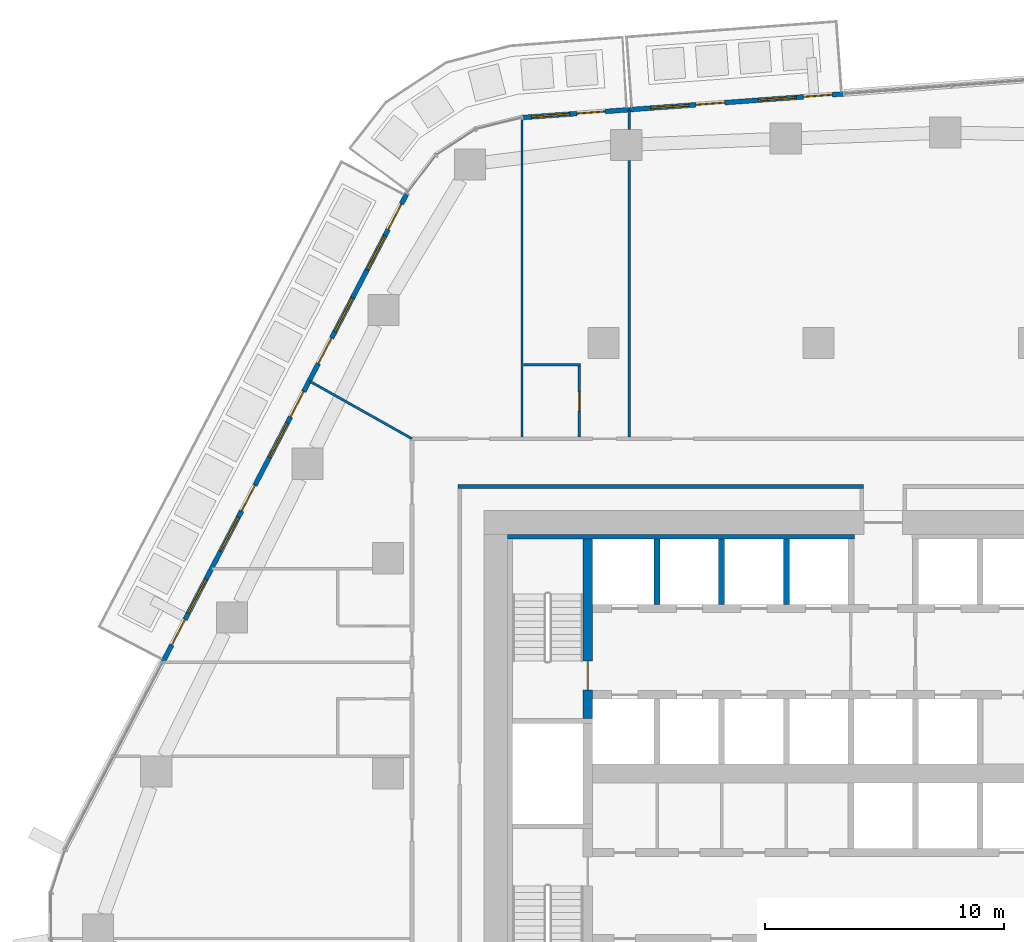
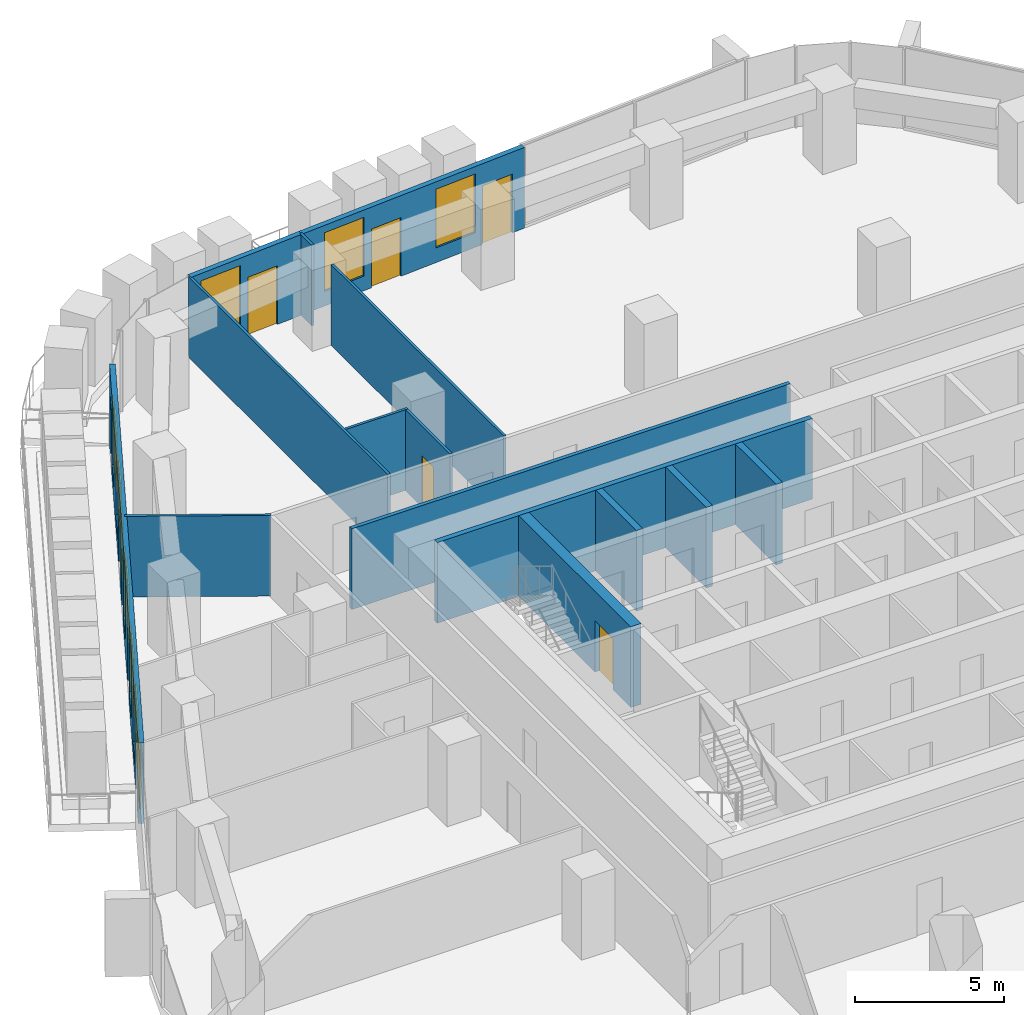
# One storey, part 15 of 23: 15 walls, 10 doors, 8 windows, 18 openings.
"""IFC4 building model written with IfcOpenShell, lengths in metres."""

from ifc_helpers import new_model, si_unit, direction, frame, frame_2d, origin, place, context, subcontext, project, spatial, rectangle, extrude, material, layer, layer_set, type_object, element, fill, save


model = new_model("IFC4")

# Units and contexts
model_context = context("Model", 3, precision=1e-05, world=origin(), true_north=direction((0.0, 1.0)))
body_context = subcontext(model_context, "Body", "Model", "MODEL_VIEW")
ifc_project = project(units=[si_unit("LENGTHUNIT", "METRE"), si_unit("AREAUNIT", "SQUARE_METRE"), si_unit("VOLUMEUNIT", "CUBIC_METRE"), si_unit("PLANEANGLEUNIT", "RADIAN"), si_unit("MASSUNIT", "GRAM", prefix="KILO")], contexts=[model_context])

# Site, building, storey
site_placement = place(None, origin())
site = spatial("IfcSite", under=ifc_project, at=site_placement, CompositionType="ELEMENT")
building_placement = place(site_placement, origin())
building = spatial("IfcBuilding", under=site, at=building_placement, Name="Dongbaek Canopy Tower", CompositionType="ELEMENT")
storey_placement = place(building_placement, frame((0.0, 0.0, 135.89990234375)))
storey = spatial("IfcBuildingStorey", under=building, at=storey_placement, Name="L30", CompositionType="ELEMENT", Elevation=135.89990234375)

# Walls
ifc_material_1 = material(Name="Concrete C60/75", Category="concrete")
ifc_layer_1 = layer(ifc_material_1, 0.199951171875)
ifc_layer_set_1 = layer_set([ifc_layer_1], Name="Core wall lining 200 Concrete C60/75")
wall_type_1 = type_object("IfcWallType", Name="Core wall lining 200 Concrete C60/75", PredefinedType="SHEAR", material=ifc_layer_set_1)
wall_1_placement = place(storey_placement, frame((-13.0, 9.89990234375, 0.0), z_axis=(0.0, 0.0, 1.0), x_axis=(1.0, 0.0, 0.0)))
element("IfcWall", 1, at=wall_1_placement, inside=storey, type_object=wall_type_1, Name="Core wall lining", PredefinedType="SHEAR", context=body_context, shape_type="SweptSolid", body=[
    extrude(rectangle(XDim=14.5, YDim=0.199951171875, at=frame_2d((7.25, 0.0))), origin(), (0.0, 0.0, 1.0), 3.300048828125),
])
ifc_material_2 = material(Name="Gypsum board partition, steel stud, 2 x 15 mm fire board", Category="steel")
ifc_layer_2 = layer(ifc_material_2, 0.14990234375)
ifc_layer_set_2 = layer_set([ifc_layer_2], Name="Fire-rated partition 150 gypsum board")
wall_type_2 = type_object("IfcWallType", Name="Fire-rated partition 150 gypsum board", PredefinedType="PARTITIONING", material=ifc_layer_set_2)
wall_2_placement = place(storey_placement, frame((-15.074951171875, 12.0, 0.0), z_axis=(0.0, 0.0, 1.0), x_axis=(1.0, 0.0, 0.0)))
element("IfcWall", 2, at=wall_2_placement, inside=storey, type_object=wall_type_2, Name="Corridor partition", PredefinedType="PARTITIONING", context=body_context, shape_type="SweptSolid", body=[
    extrude(rectangle(XDim=16.949951171875, YDim=0.14990234375, at=frame_2d((8.47509765625, 0.0))), origin(), (0.0, 0.0, 1.0), 3.300048828125),
])
ifc_material_3 = material(Name="Concrete C40/50", Category="concrete")
ifc_layer_3 = layer(ifc_material_3, 0.25)
ifc_layer_set_3 = layer_set([ifc_layer_3], Name="Lift shaft wall 250 Concrete C40/50")
wall_type_3 = type_object("IfcWallType", Name="Lift shaft wall 250 Concrete C40/50", PredefinedType="SOLIDWALL", material=ifc_layer_set_3)
for number, where, z_axis, x_axis, name in (
    (3, (-1.35009765625, 7.074951171875, 0.0), (0.0, 0.0, 1.0), (0.0, 1.0, 0.0), "Lift shaft wall"),
    (4, (-4.050048828125, 7.074951171875, 0.0), (0.0, 0.0, 1.0), (0.0, 1.0, 0.0), "Lift shaft wall"),
    (5, (-6.75, 7.074951171875, 0.0), (0.0, 0.0, 1.0), (0.0, 1.0, 0.0), "Lift shaft wall"),
):
    element("IfcWall", number, at=place(storey_placement, frame(where, z_axis=z_axis, x_axis=x_axis)), inside=storey, type_object=wall_type_3, Name=name, PredefinedType="SOLIDWALL", context=body_context, shape_type="SweptSolid", body=[
        extrude(rectangle(XDim=2.72509765625, YDim=0.25, at=frame_2d((1.362548828125, 0.0))), origin(), (0.0, 0.0, 1.0), 3.300048828125),
    ])
ifc_material_4 = material(Name="Gypsum board partition, steel stud, 2 x 12.5 mm board", Category="steel")
ifc_layer_4 = layer(ifc_material_4, 0.10009765625)
ifc_layer_set_4 = layer_set([ifc_layer_4], Name="Partition 100 gypsum board")
wall_type_4 = type_object("IfcWallType", Name="Partition 100 gypsum board", PredefinedType="PARTITIONING", material=ifc_layer_set_4)
wall_3_placement = place(storey_placement, frame((-12.3486328125, 17.10009765625, 0.0), z_axis=(0.0, 0.0, 1.0), x_axis=(1.0, 0.0, 0.0)))
element("IfcWall", 6, at=wall_3_placement, inside=storey, type_object=wall_type_4, Name="Partition", PredefinedType="PARTITIONING", context=body_context, shape_type="SweptSolid", body=[
    extrude(rectangle(XDim=2.400146484375, YDim=0.10009765625, at=frame_2d((1.2001953125, 0.0))), origin(), (0.0, 0.0, 1.0), 3.300048828125),
])
wall_4_placement = place(storey_placement, frame((-7.916015625, 14.074951171875, 0.0), z_axis=(0.0, 0.0, 1.0), x_axis=(0.0, 1.0, 0.0)))
element("IfcWall", 7, at=wall_4_placement, inside=storey, type_object=wall_type_4, Name="Partition", PredefinedType="PARTITIONING", context=body_context, shape_type="SweptSolid", body=[
    extrude(rectangle(XDim=11.56298828125, YDim=0.10009765625, at=frame_2d((5.781494140625, 0.0))), origin(), (0.0, 0.0, 1.0), 3.300048828125),
])
wall_5_placement = place(storey_placement, frame((-7.916015625, 26.93798828125, 0.0), z_axis=(0.0, 0.0, 1.0), x_axis=(0.0, 1.0, 0.0)))
element("IfcWall", 8, at=wall_5_placement, inside=storey, type_object=wall_type_4, Name="Partition", PredefinedType="PARTITIONING", context=body_context, shape_type="SweptSolid", body=[
    extrude(rectangle(XDim=0.799072265625, YDim=0.10009765625, at=frame_2d((0.3994140625, 0.0))), origin(), (0.0, 0.0, 1.0), 3.300048828125),
])

# Wall, opening, door
wall_6_placement = place(storey_placement, frame((-9.9990234375, 14.074951171875, 0.0), z_axis=(0.0, 0.0, 1.0), x_axis=(0.0, 1.0, 0.0)))
wall_6 = element("IfcWall", 9, at=wall_6_placement, inside=storey, type_object=wall_type_4, Name="Partition", PredefinedType="PARTITIONING", context=body_context, shape_type="SweptSolid", body=[
    extrude(rectangle(XDim=2.97509765625, YDim=0.10009765625, at=frame_2d((1.487548828125, 0.0))), origin(), (0.0, 0.0, 1.0), 3.300048828125),
])
opening_1_placement = place(wall_6_placement, frame((1.074951171875, 0.0, 0.0)))
opening_1 = element("IfcOpeningElement", 10, at=opening_1_placement, cuts=wall_6, Name="Opening L30-D015", PredefinedType="OPENING", context=body_context, shape_type="SweptSolid", body=[
    extrude(rectangle(XDim=0.800048828125, YDim=2.10009765625, at=frame_2d((0.39990234375, 1.050048828125))), frame((0.0, 0.06005859375, 0.0), z_axis=(0.0, -1.0, 0.0), x_axis=(1.0, 0.0, 0.0)), (0.0, 0.0, 1.0), 0.1201171875),
])
ifc_material_5 = material(Name="Timber veneered door leaf", Category="wood")
door_type_1 = type_object("IfcDoorType", Name="En-suite door 800 x 2100", OperationType="SINGLE_SWING_LEFT", PredefinedType="DOOR", material=ifc_material_5)
door_1_placement = place(opening_1_placement, origin())
door_1 = element("IfcDoor", 11, at=door_1_placement, inside=storey, type_object=door_type_1, Name="Door L30-D015", OperationType="SINGLE_SWING_RIGHT", OverallHeight=2.10009765625, OverallWidth=0.800048828125, PredefinedType="DOOR", context=body_context, shape_type="SweptSolid", body=[
    extrude(rectangle(XDim=0.800048828125, YDim=2.10009765625, at=frame_2d((0.39990234375, 1.050048828125))), frame((0.0, 0.02490234375, 0.0), z_axis=(0.0, -1.0, 0.0), x_axis=(1.0, 0.0, 0.0)), (0.0, 0.0, 1.0), 0.050048828125),
])
fill(opening_1, door_1)

# Walls
wall_7_placement = place(storey_placement, frame((-12.39892578125, 14.074951171875, 0.0), z_axis=(0.0, 0.0, 1.0), x_axis=(0.0, 1.0, 0.0)))
element("IfcWall", 12, at=wall_7_placement, inside=storey, type_object=wall_type_4, Name="Partition", PredefinedType="PARTITIONING", context=body_context, shape_type="SweptSolid", body=[
    extrude(rectangle(XDim=13.3310546875, YDim=0.10009765625, at=frame_2d((6.66552734375, 0.0))), origin(), (0.0, 0.0, 1.0), 3.300048828125),
])
wall_8_placement = place(storey_placement, frame((-21.278564453125, 16.404541015625, 0.0), z_axis=(0.0, 0.0, 1.0), x_axis=(0.871729599924, -0.489987249443, 0.0)))
element("IfcWall", 13, at=wall_8_placement, inside=storey, type_object=wall_type_4, Name="Partition", PredefinedType="PARTITIONING", context=body_context, shape_type="SweptSolid", body=[
    extrude(rectangle(XDim=4.907958984375, YDim=0.10009765625, at=frame_2d((2.4541015625, 0.0))), origin(), (0.0, 0.0, 1.0), 3.300048828125),
])

# Wall, opening, door
ifc_material_6 = material(Name="Concrete C60/75", Category="concrete")
ifc_layer_5 = layer(ifc_material_6, 0.39990234375)
ifc_layer_set_5 = layer_set([ifc_layer_5], Name="Stair wall 400 Concrete C60/75")
wall_type_5 = type_object("IfcWallType", Name="Stair wall 400 Concrete C60/75", PredefinedType="SHEAR", material=ifc_layer_set_5)
wall_9_placement = place(storey_placement, frame((-9.64990234375, 2.300048828125, 0.0), z_axis=(0.0, 0.0, 1.0), x_axis=(0.0, 1.0, 0.0)))
wall_9 = element("IfcWall", 14, at=wall_9_placement, inside=storey, type_object=wall_type_5, Name="Stair wall", PredefinedType="SHEAR", context=body_context, shape_type="SweptSolid", body=[
    extrude(rectangle(XDim=7.5, YDim=0.39990234375, at=frame_2d((3.75, 0.0))), origin(), (0.0, 0.0, 1.0), 3.300048828125),
])
opening_2_placement = place(wall_9_placement, frame((1.199951171875, 0.0, 0.0)))
opening_2 = element("IfcOpeningElement", 15, at=opening_2_placement, cuts=wall_9, Name="Opening L30-D052", PredefinedType="OPENING", context=body_context, shape_type="SweptSolid", body=[
    extrude(rectangle(XDim=1.199951171875, YDim=2.10009765625, at=frame_2d((0.60009765625, 1.050048828125))), frame((0.0, 0.2099609375, 0.0), z_axis=(0.0, -1.0, 0.0), x_axis=(1.0, 0.0, 0.0)), (0.0, 0.0, 1.0), 0.419921875),
])
ifc_material_7 = material(Name="Steel", Category="steel")
door_type_2 = type_object("IfcDoorType", Name="Stair door 1200 x 2100", OperationType="SINGLE_SWING_LEFT", PredefinedType="DOOR", material=ifc_material_7)
door_2_placement = place(opening_2_placement, origin())
door_2 = element("IfcDoor", 16, at=door_2_placement, inside=storey, type_object=door_type_2, Name="Stair C door", OperationType="SINGLE_SWING_RIGHT", OverallHeight=2.10009765625, OverallWidth=1.199951171875, PredefinedType="DOOR", context=body_context, shape_type="SweptSolid", body=[
    extrude(rectangle(XDim=1.199951171875, YDim=2.10009765625, at=frame_2d((0.60009765625, 1.050048828125))), frame((0.0, 0.02490234375, 0.0), z_axis=(0.0, -1.0, 0.0), x_axis=(1.0, 0.0, 0.0)), (0.0, 0.0, 1.0), 0.050048828125),
])
fill(opening_2, door_2)

# Wall, openings, doors, windows
ifc_material_8 = material(Name="Aluminium window wall", Category="aluminium")
ifc_layer_6 = layer(ifc_material_8, 0.199951171875)
ifc_layer_set_6 = layer_set([ifc_layer_6], Name="Window wall 200")
wall_type_6 = type_object("IfcWallType", Name="Window wall 200", PredefinedType="SOLIDWALL", material=ifc_layer_set_6)
wall_10_placement = place(storey_placement, frame((1.064697265625, 28.419189453125, 0.0), z_axis=(0.0, 0.0, 1.0), x_axis=(-0.997293582655, -0.07352217349, 0.0)))
wall_10 = element("IfcWall", 17, at=wall_10_placement, inside=storey, type_object=wall_type_6, Name="Window wall L30 1", PredefinedType="SOLIDWALL", context=body_context, shape_type="SweptSolid", body=[
    extrude(rectangle(XDim=9.005615234375, YDim=0.199951171875, at=frame_2d((4.5029296875, 0.0))), origin(), (0.0, 0.0, 1.0), 3.300048828125),
])
opening_3_placement = place(wall_10_placement, frame((2.0, 0.0, 0.60009765625)))
opening_3 = element("IfcOpeningElement", 18, at=opening_3_placement, cuts=wall_10, Name="Opening W1", PredefinedType="OPENING", context=body_context, shape_type="SweptSolid", body=[
    extrude(rectangle(XDim=1.60009765625, YDim=2.39990234375, at=frame_2d((0.800048828125, 1.199951171875))), frame((0.0, 0.10986328125, 0.0), z_axis=(0.0, -1.0, 0.0), x_axis=(1.0, 0.0, 0.0)), (0.0, 0.0, 1.0), 0.219970703125),
])
opening_4_placement = place(wall_10_placement, frame((0.5, 0.0, 0.0)))
opening_4 = element("IfcOpeningElement", 19, at=opening_4_placement, cuts=wall_10, Name="Opening L30-B01", PredefinedType="OPENING", context=body_context, shape_type="SweptSolid", body=[
    extrude(rectangle(XDim=1.199951171875, YDim=2.39990234375, at=frame_2d((0.60009765625, 1.199951171875))), frame((0.0, 0.10986328125, 0.0), z_axis=(0.0, -1.0, 0.0), x_axis=(1.0, 0.0, 0.0)), (0.0, 0.0, 1.0), 0.219970703125),
])
opening_5_placement = place(wall_10_placement, frame((6.5029296875, 0.0, 0.60009765625)))
opening_5 = element("IfcOpeningElement", 20, at=opening_5_placement, cuts=wall_10, Name="Opening W1", PredefinedType="OPENING", context=body_context, shape_type="SweptSolid", body=[
    extrude(rectangle(XDim=1.60009765625, YDim=2.39990234375, at=frame_2d((0.800048828125, 1.199951171875))), frame((0.0, 0.10986328125, 0.0), z_axis=(0.0, -1.0, 0.0), x_axis=(1.0, 0.0, 0.0)), (0.0, 0.0, 1.0), 0.219970703125),
])
opening_6_placement = place(wall_10_placement, frame((5.0029296875, 0.0, 0.0)))
opening_6 = element("IfcOpeningElement", 21, at=opening_6_placement, cuts=wall_10, Name="Opening L30-B02", PredefinedType="OPENING", context=body_context, shape_type="SweptSolid", body=[
    extrude(rectangle(XDim=1.199951171875, YDim=2.39990234375, at=frame_2d((0.60009765625, 1.199951171875))), frame((0.0, 0.10986328125, 0.0), z_axis=(0.0, -1.0, 0.0), x_axis=(1.0, 0.0, 0.0)), (0.0, 0.0, 1.0), 0.219970703125),
])
ifc_material_9 = material(Name="Clear glazing in aluminium frame", Category="aluminium")
door_type_3 = type_object("IfcDoorType", Name="Balcony door BD1 1200 x 2400", OperationType="SLIDING_TO_LEFT", PredefinedType="DOOR", material=ifc_material_9)
door_3_placement = place(opening_4_placement, origin())
door_3 = element("IfcDoor", 22, at=door_3_placement, inside=storey, type_object=door_type_3, Name="Balcony door L30-B01", OperationType="SLIDING_TO_LEFT", OverallHeight=2.39990234375, OverallWidth=1.199951171875, PredefinedType="DOOR", context=body_context, shape_type="SweptSolid", body=[
    extrude(rectangle(XDim=1.199951171875, YDim=2.39990234375, at=frame_2d((0.60009765625, 1.199951171875))), frame((0.0, 0.02490234375, 0.0), z_axis=(0.0, -1.0, 0.0), x_axis=(1.0, 0.0, 0.0)), (0.0, 0.0, 1.0), 0.050048828125),
])
fill(opening_4, door_3)
door_4_placement = place(opening_6_placement, origin())
door_4 = element("IfcDoor", 23, at=door_4_placement, inside=storey, type_object=door_type_3, Name="Balcony door L30-B02", OperationType="SLIDING_TO_LEFT", OverallHeight=2.39990234375, OverallWidth=1.199951171875, PredefinedType="DOOR", context=body_context, shape_type="SweptSolid", body=[
    extrude(rectangle(XDim=1.199951171875, YDim=2.39990234375, at=frame_2d((0.60009765625, 1.199951171875))), frame((0.0, 0.02490234375, 0.0), z_axis=(0.0, -1.0, 0.0), x_axis=(1.0, 0.0, 0.0)), (0.0, 0.0, 1.0), 0.050048828125),
])
fill(opening_6, door_4)
ifc_material_10 = material(Name="Clear glazing in aluminium frame", Category="aluminium")
window_type = type_object("IfcWindowType", Name="Window W1 1600 x 2400", PartitioningType="SINGLE_PANEL", PredefinedType="WINDOW", material=ifc_material_10)
window_1_placement = place(opening_3_placement, origin())
window_1 = element("IfcWindow", 24, at=window_1_placement, inside=storey, type_object=window_type, Name="Window L30 1.1", OverallHeight=2.39990234375, OverallWidth=1.60009765625, PartitioningType="SINGLE_PANEL", PredefinedType="WINDOW", context=body_context, shape_type="SweptSolid", body=[
    extrude(rectangle(XDim=1.60009765625, YDim=2.39990234375, at=frame_2d((0.800048828125, 1.199951171875))), frame((0.0, 0.030029296875, 0.0), z_axis=(0.0, -1.0, 0.0), x_axis=(1.0, 0.0, 0.0)), (0.0, 0.0, 1.0), 0.06005859375),
])
fill(opening_3, window_1)
window_2_placement = place(opening_5_placement, origin())
window_2 = element("IfcWindow", 25, at=window_2_placement, inside=storey, type_object=window_type, Name="Window L30 1.2", OverallHeight=2.39990234375, OverallWidth=1.60009765625, PartitioningType="SINGLE_PANEL", PredefinedType="WINDOW", context=body_context, shape_type="SweptSolid", body=[
    extrude(rectangle(XDim=1.60009765625, YDim=2.39990234375, at=frame_2d((0.800048828125, 1.199951171875))), frame((0.0, 0.030029296875, 0.0), z_axis=(0.0, -1.0, 0.0), x_axis=(1.0, 0.0, 0.0)), (0.0, 0.0, 1.0), 0.06005859375),
])
fill(opening_5, window_2)

# Wall, openings, door, window
wall_11_placement = place(storey_placement, frame((-7.91650390625, 27.757080078125, 0.0), z_axis=(0.0, 0.0, 1.0), x_axis=(-0.997291417846, -0.073551532206, 0.0)))
wall_11 = element("IfcWall", 26, at=wall_11_placement, inside=storey, type_object=wall_type_6, Name="Window wall L30 6", PredefinedType="SOLIDWALL", context=body_context, shape_type="SweptSolid", body=[
    extrude(rectangle(XDim=4.494384765625, YDim=0.199951171875, at=frame_2d((2.2470703125, 0.0))), origin(), (0.0, 0.0, 1.0), 3.300048828125),
])
opening_7_placement = place(wall_11_placement, frame((2.5, 0.0, 0.60009765625)))
opening_7 = element("IfcOpeningElement", 27, at=opening_7_placement, cuts=wall_11, Name="Opening W1", PredefinedType="OPENING", context=body_context, shape_type="SweptSolid", body=[
    extrude(rectangle(XDim=1.60009765625, YDim=2.39990234375, at=frame_2d((0.800048828125, 1.199951171875))), frame((0.0, 0.10986328125, 0.0), z_axis=(0.0, -1.0, 0.0), x_axis=(1.0, 0.0, 0.0)), (0.0, 0.0, 1.0), 0.219970703125),
])
opening_8_placement = place(wall_11_placement, frame((1.0, 0.0, 0.0)))
opening_8 = element("IfcOpeningElement", 28, at=opening_8_placement, cuts=wall_11, Name="Opening L30-B03", PredefinedType="OPENING", context=body_context, shape_type="SweptSolid", body=[
    extrude(rectangle(XDim=1.199951171875, YDim=2.39990234375, at=frame_2d((0.60009765625, 1.199951171875))), frame((0.0, 0.10986328125, 0.0), z_axis=(0.0, -1.0, 0.0), x_axis=(1.0, 0.0, 0.0)), (0.0, 0.0, 1.0), 0.219970703125),
])
door_5_placement = place(opening_8_placement, origin())
door_5 = element("IfcDoor", 29, at=door_5_placement, inside=storey, type_object=door_type_3, Name="Balcony door L30-B03", OperationType="SLIDING_TO_LEFT", OverallHeight=2.39990234375, OverallWidth=1.199951171875, PredefinedType="DOOR", context=body_context, shape_type="SweptSolid", body=[
    extrude(rectangle(XDim=1.199951171875, YDim=2.39990234375, at=frame_2d((0.60009765625, 1.199951171875))), frame((0.0, 0.02490234375, 0.0), z_axis=(0.0, -1.0, 0.0), x_axis=(1.0, 0.0, 0.0)), (0.0, 0.0, 1.0), 0.050048828125),
])
fill(opening_8, door_5)
window_3_placement = place(opening_7_placement, origin())
window_3 = element("IfcWindow", 30, at=window_3_placement, inside=storey, type_object=window_type, Name="Window L30 6.1", OverallHeight=2.39990234375, OverallWidth=1.60009765625, PartitioningType="SINGLE_PANEL", PredefinedType="WINDOW", context=body_context, shape_type="SweptSolid", body=[
    extrude(rectangle(XDim=1.60009765625, YDim=2.39990234375, at=frame_2d((0.800048828125, 1.199951171875))), frame((0.0, 0.030029296875, 0.0), z_axis=(0.0, -1.0, 0.0), x_axis=(1.0, 0.0, 0.0)), (0.0, 0.0, 1.0), 0.06005859375),
])
fill(opening_7, window_3)

# Wall, openings, doors, windows
wall_12_placement = place(storey_placement, frame((-17.210205078125, 24.259765625, 0.0), z_axis=(0.0, 0.0, 1.0), x_axis=(-0.461902936619, -0.886930480445, 0.0)))
wall_12 = element("IfcWall", 31, at=wall_12_placement, inside=storey, type_object=wall_type_6, Name="Window wall L30 2", PredefinedType="SOLIDWALL", context=body_context, shape_type="SweptSolid", body=[
    extrude(rectangle(XDim=22.113037109375, YDim=0.199951171875, at=frame_2d((11.056640625, 0.0))), origin(), (0.0, 0.0, 1.0), 3.300048828125),
])
opening_9_placement = place(wall_12_placement, frame((2.0, 0.0, 0.60009765625)))
opening_9 = element("IfcOpeningElement", 32, at=opening_9_placement, cuts=wall_12, Name="Opening W1", PredefinedType="OPENING", context=body_context, shape_type="SweptSolid", body=[
    extrude(rectangle(XDim=1.60009765625, YDim=2.39990234375, at=frame_2d((0.800048828125, 1.199951171875))), frame((0.0, 0.10986328125, 0.0), z_axis=(0.0, -1.0, 0.0), x_axis=(1.0, 0.0, 0.0)), (0.0, 0.0, 1.0), 0.219970703125),
])
opening_10_placement = place(wall_12_placement, frame((0.5, 0.0, 0.0)))
opening_10 = element("IfcOpeningElement", 33, at=opening_10_placement, cuts=wall_12, Name="Opening L30-B04", PredefinedType="OPENING", context=body_context, shape_type="SweptSolid", body=[
    extrude(rectangle(XDim=1.199951171875, YDim=2.39990234375, at=frame_2d((0.60009765625, 1.199951171875))), frame((0.0, 0.10986328125, 0.0), z_axis=(0.0, -1.0, 0.0), x_axis=(1.0, 0.0, 0.0)), (0.0, 0.0, 1.0), 0.219970703125),
])
opening_11_placement = place(wall_12_placement, frame((4.922607421875, 0.0, 0.60009765625)))
opening_11 = element("IfcOpeningElement", 34, at=opening_11_placement, cuts=wall_12, Name="Opening W1", PredefinedType="OPENING", context=body_context, shape_type="SweptSolid", body=[
    extrude(rectangle(XDim=1.60009765625, YDim=2.39990234375, at=frame_2d((0.800048828125, 1.199951171875))), frame((0.0, 0.10986328125, 0.0), z_axis=(0.0, -1.0, 0.0), x_axis=(1.0, 0.0, 0.0)), (0.0, 0.0, 1.0), 0.219970703125),
])
opening_12_placement = place(wall_12_placement, frame((6.822509765625, 0.0, 0.0)))
opening_12 = element("IfcOpeningElement", 35, at=opening_12_placement, cuts=wall_12, Name="Opening L30-B05", PredefinedType="OPENING", context=body_context, shape_type="SweptSolid", body=[
    extrude(rectangle(XDim=1.199951171875, YDim=2.39990234375, at=frame_2d((0.60009765625, 1.199951171875))), frame((0.0, 0.10986328125, 0.0), z_axis=(0.0, -1.0, 0.0), x_axis=(1.0, 0.0, 0.0)), (0.0, 0.0, 1.0), 0.219970703125),
])
opening_13_placement = place(wall_12_placement, frame((10.84521484375, 0.0, 0.60009765625)))
opening_13 = element("IfcOpeningElement", 36, at=opening_13_placement, cuts=wall_12, Name="Opening W1", PredefinedType="OPENING", context=body_context, shape_type="SweptSolid", body=[
    extrude(rectangle(XDim=1.60009765625, YDim=2.39990234375, at=frame_2d((0.800048828125, 1.199951171875))), frame((0.0, 0.10986328125, 0.0), z_axis=(0.0, -1.0, 0.0), x_axis=(1.0, 0.0, 0.0)), (0.0, 0.0, 1.0), 0.219970703125),
])
opening_14_placement = place(wall_12_placement, frame((9.34521484375, 0.0, 0.0)))
opening_14 = element("IfcOpeningElement", 37, at=opening_14_placement, cuts=wall_12, Name="Opening L30-B06", PredefinedType="OPENING", context=body_context, shape_type="SweptSolid", body=[
    extrude(rectangle(XDim=1.199951171875, YDim=2.39990234375, at=frame_2d((0.60009765625, 1.199951171875))), frame((0.0, 0.10986328125, 0.0), z_axis=(0.0, -1.0, 0.0), x_axis=(1.0, 0.0, 0.0)), (0.0, 0.0, 1.0), 0.219970703125),
])
opening_15_placement = place(wall_12_placement, frame((15.267822265625, 0.0, 0.60009765625)))
opening_15 = element("IfcOpeningElement", 38, at=opening_15_placement, cuts=wall_12, Name="Opening W1", PredefinedType="OPENING", context=body_context, shape_type="SweptSolid", body=[
    extrude(rectangle(XDim=1.60009765625, YDim=2.39990234375, at=frame_2d((0.800048828125, 1.199951171875))), frame((0.0, 0.10986328125, 0.0), z_axis=(0.0, -1.0, 0.0), x_axis=(1.0, 0.0, 0.0)), (0.0, 0.0, 1.0), 0.219970703125),
])
opening_16_placement = place(wall_12_placement, frame((13.767822265625, 0.0, 0.0)))
opening_16 = element("IfcOpeningElement", 39, at=opening_16_placement, cuts=wall_12, Name="Opening L30-B07", PredefinedType="OPENING", context=body_context, shape_type="SweptSolid", body=[
    extrude(rectangle(XDim=1.199951171875, YDim=2.39990234375, at=frame_2d((0.60009765625, 1.199951171875))), frame((0.0, 0.10986328125, 0.0), z_axis=(0.0, -1.0, 0.0), x_axis=(1.0, 0.0, 0.0)), (0.0, 0.0, 1.0), 0.219970703125),
])
opening_17_placement = place(wall_12_placement, frame((18.1904296875, 0.0, 0.60009765625)))
opening_17 = element("IfcOpeningElement", 40, at=opening_17_placement, cuts=wall_12, Name="Opening W1", PredefinedType="OPENING", context=body_context, shape_type="SweptSolid", body=[
    extrude(rectangle(XDim=1.60009765625, YDim=2.39990234375, at=frame_2d((0.800048828125, 1.199951171875))), frame((0.0, 0.10986328125, 0.0), z_axis=(0.0, -1.0, 0.0), x_axis=(1.0, 0.0, 0.0)), (0.0, 0.0, 1.0), 0.219970703125),
])
opening_18_placement = place(wall_12_placement, frame((20.09033203125, 0.0, 0.0)))
opening_18 = element("IfcOpeningElement", 41, at=opening_18_placement, cuts=wall_12, Name="Opening L30-B08", PredefinedType="OPENING", context=body_context, shape_type="SweptSolid", body=[
    extrude(rectangle(XDim=1.199951171875, YDim=2.39990234375, at=frame_2d((0.60009765625, 1.199951171875))), frame((0.0, 0.10986328125, 0.0), z_axis=(0.0, -1.0, 0.0), x_axis=(1.0, 0.0, 0.0)), (0.0, 0.0, 1.0), 0.219970703125),
])
door_6_placement = place(opening_10_placement, origin())
door_6 = element("IfcDoor", 42, at=door_6_placement, inside=storey, type_object=door_type_3, Name="Balcony door L30-B04", OperationType="SLIDING_TO_LEFT", OverallHeight=2.39990234375, OverallWidth=1.199951171875, PredefinedType="DOOR", context=body_context, shape_type="SweptSolid", body=[
    extrude(rectangle(XDim=1.199951171875, YDim=2.39990234375, at=frame_2d((0.60009765625, 1.199951171875))), frame((0.0, 0.02490234375, 0.0), z_axis=(0.0, -1.0, 0.0), x_axis=(1.0, 0.0, 0.0)), (0.0, 0.0, 1.0), 0.050048828125),
])
fill(opening_10, door_6)
door_7_placement = place(opening_12_placement, origin())
door_7 = element("IfcDoor", 43, at=door_7_placement, inside=storey, type_object=door_type_3, Name="Balcony door L30-B05", OperationType="SLIDING_TO_LEFT", OverallHeight=2.39990234375, OverallWidth=1.199951171875, PredefinedType="DOOR", context=body_context, shape_type="SweptSolid", body=[
    extrude(rectangle(XDim=1.199951171875, YDim=2.39990234375, at=frame_2d((0.60009765625, 1.199951171875))), frame((0.0, 0.02490234375, 0.0), z_axis=(0.0, -1.0, 0.0), x_axis=(1.0, 0.0, 0.0)), (0.0, 0.0, 1.0), 0.050048828125),
])
fill(opening_12, door_7)
door_8_placement = place(opening_14_placement, origin())
door_8 = element("IfcDoor", 44, at=door_8_placement, inside=storey, type_object=door_type_3, Name="Balcony door L30-B06", OperationType="SLIDING_TO_LEFT", OverallHeight=2.39990234375, OverallWidth=1.199951171875, PredefinedType="DOOR", context=body_context, shape_type="SweptSolid", body=[
    extrude(rectangle(XDim=1.199951171875, YDim=2.39990234375, at=frame_2d((0.60009765625, 1.199951171875))), frame((0.0, 0.02490234375, 0.0), z_axis=(0.0, -1.0, 0.0), x_axis=(1.0, 0.0, 0.0)), (0.0, 0.0, 1.0), 0.050048828125),
])
fill(opening_14, door_8)
door_9_placement = place(opening_16_placement, origin())
door_9 = element("IfcDoor", 45, at=door_9_placement, inside=storey, type_object=door_type_3, Name="Balcony door L30-B07", OperationType="SLIDING_TO_LEFT", OverallHeight=2.39990234375, OverallWidth=1.199951171875, PredefinedType="DOOR", context=body_context, shape_type="SweptSolid", body=[
    extrude(rectangle(XDim=1.199951171875, YDim=2.39990234375, at=frame_2d((0.60009765625, 1.199951171875))), frame((0.0, 0.02490234375, 0.0), z_axis=(0.0, -1.0, 0.0), x_axis=(1.0, 0.0, 0.0)), (0.0, 0.0, 1.0), 0.050048828125),
])
fill(opening_16, door_9)
door_10_placement = place(opening_18_placement, origin())
door_10 = element("IfcDoor", 46, at=door_10_placement, inside=storey, type_object=door_type_3, Name="Balcony door L30-B08", OperationType="SLIDING_TO_LEFT", OverallHeight=2.39990234375, OverallWidth=1.199951171875, PredefinedType="DOOR", context=body_context, shape_type="SweptSolid", body=[
    extrude(rectangle(XDim=1.199951171875, YDim=2.39990234375, at=frame_2d((0.60009765625, 1.199951171875))), frame((0.0, 0.02490234375, 0.0), z_axis=(0.0, -1.0, 0.0), x_axis=(1.0, 0.0, 0.0)), (0.0, 0.0, 1.0), 0.050048828125),
])
fill(opening_18, door_10)
window_4_placement = place(opening_9_placement, origin())
window_4 = element("IfcWindow", 47, at=window_4_placement, inside=storey, type_object=window_type, Name="Window L30 2.1", OverallHeight=2.39990234375, OverallWidth=1.60009765625, PartitioningType="SINGLE_PANEL", PredefinedType="WINDOW", context=body_context, shape_type="SweptSolid", body=[
    extrude(rectangle(XDim=1.60009765625, YDim=2.39990234375, at=frame_2d((0.800048828125, 1.199951171875))), frame((0.0, 0.030029296875, 0.0), z_axis=(0.0, -1.0, 0.0), x_axis=(1.0, 0.0, 0.0)), (0.0, 0.0, 1.0), 0.06005859375),
])
fill(opening_9, window_4)
window_5_placement = place(opening_11_placement, origin())
window_5 = element("IfcWindow", 48, at=window_5_placement, inside=storey, type_object=window_type, Name="Window L30 2.2", OverallHeight=2.39990234375, OverallWidth=1.60009765625, PartitioningType="SINGLE_PANEL", PredefinedType="WINDOW", context=body_context, shape_type="SweptSolid", body=[
    extrude(rectangle(XDim=1.60009765625, YDim=2.39990234375, at=frame_2d((0.800048828125, 1.199951171875))), frame((0.0, 0.030029296875, 0.0), z_axis=(0.0, -1.0, 0.0), x_axis=(1.0, 0.0, 0.0)), (0.0, 0.0, 1.0), 0.06005859375),
])
fill(opening_11, window_5)
window_6_placement = place(opening_13_placement, origin())
window_6 = element("IfcWindow", 49, at=window_6_placement, inside=storey, type_object=window_type, Name="Window L30 2.3", OverallHeight=2.39990234375, OverallWidth=1.60009765625, PartitioningType="SINGLE_PANEL", PredefinedType="WINDOW", context=body_context, shape_type="SweptSolid", body=[
    extrude(rectangle(XDim=1.60009765625, YDim=2.39990234375, at=frame_2d((0.800048828125, 1.199951171875))), frame((0.0, 0.030029296875, 0.0), z_axis=(0.0, -1.0, 0.0), x_axis=(1.0, 0.0, 0.0)), (0.0, 0.0, 1.0), 0.06005859375),
])
fill(opening_13, window_6)
window_7_placement = place(opening_15_placement, origin())
window_7 = element("IfcWindow", 50, at=window_7_placement, inside=storey, type_object=window_type, Name="Window L30 2.4", OverallHeight=2.39990234375, OverallWidth=1.60009765625, PartitioningType="SINGLE_PANEL", PredefinedType="WINDOW", context=body_context, shape_type="SweptSolid", body=[
    extrude(rectangle(XDim=1.60009765625, YDim=2.39990234375, at=frame_2d((0.800048828125, 1.199951171875))), frame((0.0, 0.030029296875, 0.0), z_axis=(0.0, -1.0, 0.0), x_axis=(1.0, 0.0, 0.0)), (0.0, 0.0, 1.0), 0.06005859375),
])
fill(opening_15, window_7)
window_8_placement = place(opening_17_placement, origin())
window_8 = element("IfcWindow", 51, at=window_8_placement, inside=storey, type_object=window_type, Name="Window L30 2.5", OverallHeight=2.39990234375, OverallWidth=1.60009765625, PartitioningType="SINGLE_PANEL", PredefinedType="WINDOW", context=body_context, shape_type="SweptSolid", body=[
    extrude(rectangle(XDim=1.60009765625, YDim=2.39990234375, at=frame_2d((0.800048828125, 1.199951171875))), frame((0.0, 0.030029296875, 0.0), z_axis=(0.0, -1.0, 0.0), x_axis=(1.0, 0.0, 0.0)), (0.0, 0.0, 1.0), 0.06005859375),
])
fill(opening_17, window_8)

save(model, "model.ifc")
